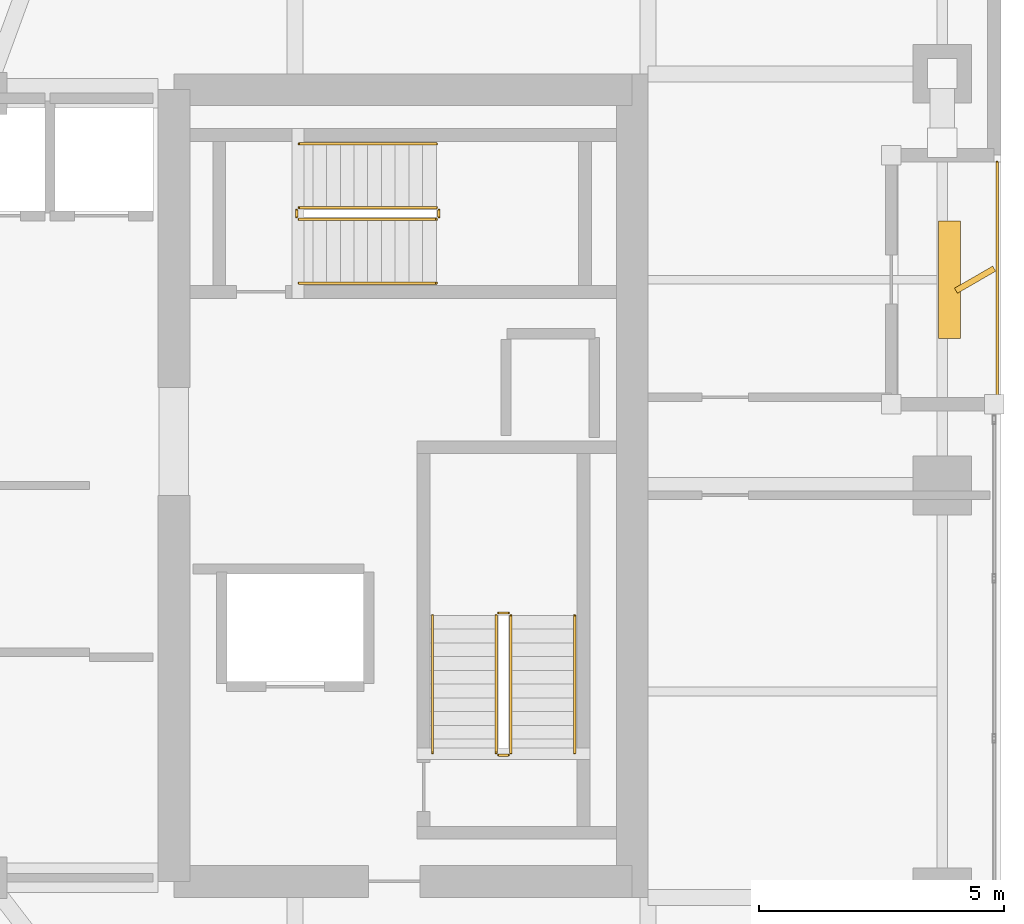
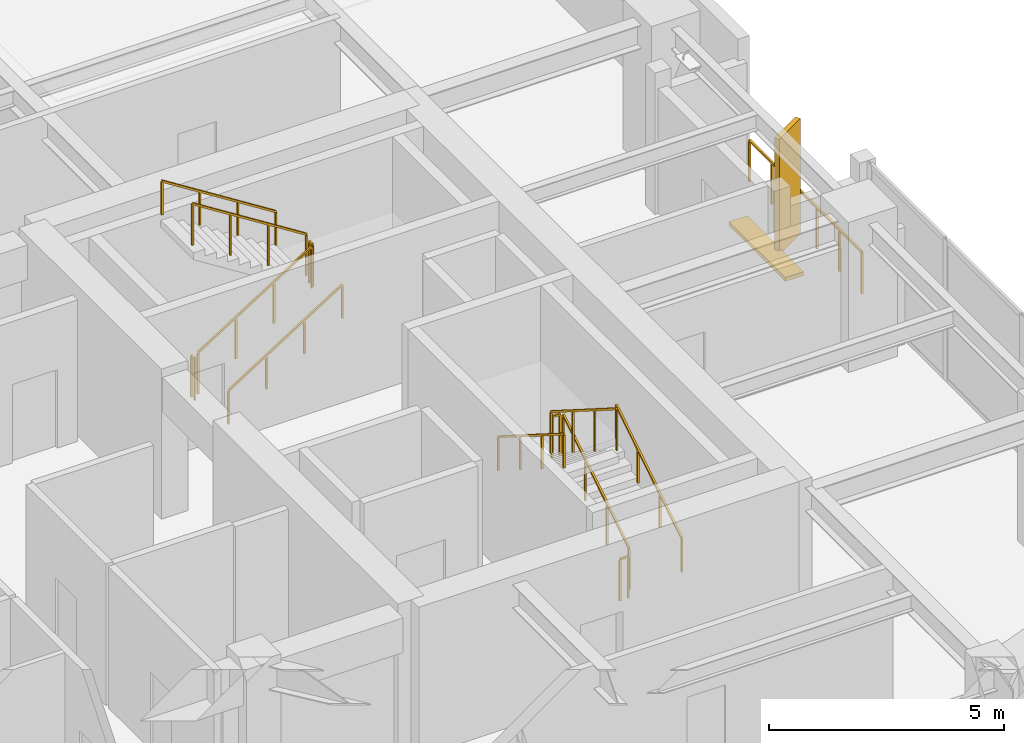
# One storey, part 29 of 30: 13 railings, 2 shading devices.
"""IFC4 building model written with IfcOpenShell, lengths in metres."""

from ifc_helpers import new_model, si_unit, direction, frame, origin, origin_2d, place, context, subcontext, project, spatial, rectangle, extrude, material, type_object, element, save


model = new_model("IFC4")

# Units and contexts
model_context = context("Model", 3, precision=1e-05, world=origin(), true_north=direction((0.0, 1.0)))
body_context = subcontext(model_context, "Body", "Model", "MODEL_VIEW")
ifc_project = project(units=[si_unit("LENGTHUNIT", "METRE"), si_unit("AREAUNIT", "SQUARE_METRE"), si_unit("VOLUMEUNIT", "CUBIC_METRE"), si_unit("PLANEANGLEUNIT", "RADIAN"), si_unit("MASSUNIT", "GRAM", prefix="KILO")], contexts=[model_context])

# Site, building, storey
site_placement = place(None, origin())
site = spatial("IfcSite", under=ifc_project, at=site_placement, CompositionType="ELEMENT")
building_placement = place(site_placement, origin())
building = spatial("IfcBuilding", under=site, at=building_placement, Name="Kiyonajd Concourse Tower", CompositionType="ELEMENT")
storey_placement = place(building_placement, frame((0.0, 0.0, 194.10009765625)))
storey = spatial("IfcBuildingStorey", under=building, at=storey_placement, Name="L49", CompositionType="ELEMENT", Elevation=194.10009765625)

# Railings
ifc_material_1 = material(Name="Thermally Broken Anodised Aluminium", Category="aluminium")
railing_type_1 = type_object("IfcRailingType", Name="RL-GRD-LOG", PredefinedType="GUARDRAIL", material=ifc_material_1)
railing_1_placement = place(storey_placement, frame((70.719970703125, 37.800048828125, 0.0)))
element("IfcRailing", 1, at=railing_1_placement, inside=storey, type_object=railing_type_1, Name="L49 Engawa Loggia Perimeter Guard LOG-E", PredefinedType="GUARDRAIL", context=body_context, shape_type="SweptSolid", body=[
    extrude(rectangle(XDim=0.048095703125, YDim=0.048095703125, at=origin_2d()), frame((0.0, 0.0, 1.076171875), z_axis=(0.0, 1.0, 0.0), x_axis=(-1.0, 0.0, 0.0)), (0.0, 0.0, 1.0), 4.800048828125),
    extrude(rectangle(XDim=0.0419921875, YDim=0.0419921875, at=origin_2d()), origin(), (0.0, 0.0, 1.0), 1.052001953125),
    extrude(rectangle(XDim=0.0419921875, YDim=0.0419921875, at=origin_2d()), frame((0.0, 0.9599609375, 0.0)), (0.0, 0.0, 1.0), 1.052001953125),
    extrude(rectangle(XDim=0.0419921875, YDim=0.0419921875, at=origin_2d()), frame((0.0, 1.919921875, 0.0)), (0.0, 0.0, 1.0), 1.052001953125),
    extrude(rectangle(XDim=0.0419921875, YDim=0.0419921875, at=origin_2d()), frame((0.0, 2.880126953125, 0.0)), (0.0, 0.0, 1.0), 1.052001953125),
    extrude(rectangle(XDim=0.0419921875, YDim=0.0419921875, at=origin_2d()), frame((0.0, 3.840087890625, 0.0)), (0.0, 0.0, 1.0), 1.052001953125),
    extrude(rectangle(XDim=0.0419921875, YDim=0.0419921875, at=origin_2d()), frame((0.0, 4.800048828125, 0.0)), (0.0, 0.0, 1.0), 1.052001953125),
])
ifc_material_2 = material(Name="Steel ASTM A500 Grade C", Category="steel")
railing_type_2 = type_object("IfcRailingType", Name="RL-GRD-STR", PredefinedType="GUARDRAIL", material=ifc_material_2)
railing_2_placement = place(storey_placement, frame((60.800048828125, 30.550048828125, 0.17724609375)))
element("IfcRailing", 2, at=railing_2_placement, inside=storey, type_object=railing_type_2, Name="L49 ST2 stair guard 1", PredefinedType="GUARDRAIL", context=body_context, shape_type="SweptSolid", body=[
    extrude(rectangle(XDim=0.048095703125, YDim=0.048095703125, at=origin_2d()), frame((0.0, 0.0, 1.076171875), z_axis=(0.0, 0.844908973607, 0.534910110503), x_axis=(-1.0, 0.0, 0.0)), (0.0, 0.0, 1.0), 3.31396484375),
    extrude(rectangle(XDim=0.0419921875, YDim=0.0419921875, at=origin_2d()), origin(), (0.0, 0.0, 1.0), 1.052001953125),
    extrude(rectangle(XDim=0.0419921875, YDim=0.0419921875, at=origin_2d()), frame((0.0, 0.933349609375, 0.5908203125)), (0.0, 0.0, 1.0), 1.052001953125),
    extrude(rectangle(XDim=0.0419921875, YDim=0.0419921875, at=origin_2d()), frame((0.0, 1.86669921875, 1.181884765625)), (0.0, 0.0, 1.0), 1.052001953125),
    extrude(rectangle(XDim=0.0419921875, YDim=0.0419921875, at=origin_2d()), frame((0.0, 2.800048828125, 1.772705078125)), (0.0, 0.0, 1.0), 1.052001953125),
])
railing_3_placement = place(storey_placement, frame((60.75, 33.39990234375, 1.949951171875)))
element("IfcRailing", 3, at=railing_3_placement, inside=storey, type_object=railing_type_2, Name="L49 ST2 stair guard 2", PredefinedType="GUARDRAIL", context=body_context, shape_type="SweptSolid", body=[
    extrude(rectangle(XDim=0.048095703125, YDim=0.048095703125, at=origin_2d()), frame((0.0, 0.0, 1.076171875), z_axis=(-1.0, 0.0, 0.0), x_axis=(0.0, -1.0, 0.0)), (0.0, 0.0, 1.0), 0.199951171875),
    extrude(rectangle(XDim=0.0419921875, YDim=0.0419921875, at=origin_2d()), origin(), (0.0, 0.0, 1.0), 1.052001953125),
    extrude(rectangle(XDim=0.0419921875, YDim=0.0419921875, at=origin_2d()), frame((-0.199951171875, 0.0, 0.0)), (0.0, 0.0, 1.0), 1.052001953125),
])
railing_4_placement = place(storey_placement, frame((60.5, 33.35009765625, 2.127197265625)))
element("IfcRailing", 4, at=railing_4_placement, inside=storey, type_object=railing_type_2, Name="L49 ST2 stair guard 3", PredefinedType="GUARDRAIL", context=body_context, shape_type="SweptSolid", body=[
    extrude(rectangle(XDim=0.048095703125, YDim=0.048095703125, at=origin_2d()), frame((0.0, 0.0, 1.076171875), z_axis=(0.0, -0.844908973607, 0.534910110503), x_axis=(1.0, 0.0, 0.0)), (0.0, 0.0, 1.0), 3.31396484375),
    extrude(rectangle(XDim=0.0419921875, YDim=0.0419921875, at=origin_2d()), origin(), (0.0, 0.0, 1.0), 1.052001953125),
    extrude(rectangle(XDim=0.0419921875, YDim=0.0419921875, at=origin_2d()), frame((0.0, -0.933349609375, 0.5908203125)), (0.0, 0.0, 1.0), 1.052001953125),
    extrude(rectangle(XDim=0.0419921875, YDim=0.0419921875, at=origin_2d()), frame((0.0, -1.86669921875, 1.181884765625)), (0.0, 0.0, 1.0), 1.052001953125),
    extrude(rectangle(XDim=0.0419921875, YDim=0.0419921875, at=origin_2d()), frame((0.0, -2.800048828125, 1.772705078125)), (0.0, 0.0, 1.0), 1.052001953125),
])
railing_5_placement = place(storey_placement, frame((60.75, 30.5, 0.0)))
element("IfcRailing", 5, at=railing_5_placement, inside=storey, type_object=railing_type_2, Name="L49 ST2 stair guard 4", PredefinedType="GUARDRAIL", context=body_context, shape_type="SweptSolid", body=[
    extrude(rectangle(XDim=0.048095703125, YDim=0.048095703125, at=origin_2d()), frame((0.0, 0.0, 1.076171875), z_axis=(-1.0, 0.0, 0.0), x_axis=(0.0, -1.0, 0.0)), (0.0, 0.0, 1.0), 0.199951171875),
    extrude(rectangle(XDim=0.0419921875, YDim=0.0419921875, at=origin_2d()), origin(), (0.0, 0.0, 1.0), 1.052001953125),
    extrude(rectangle(XDim=0.0419921875, YDim=0.0419921875, at=origin_2d()), frame((-0.199951171875, 0.0, 0.0)), (0.0, 0.0, 1.0), 1.052001953125),
])
railing_6_placement = place(storey_placement, frame((56.47998046875, 41.429931640625, 0.17724609375)))
element("IfcRailing", 6, at=railing_6_placement, inside=storey, type_object=railing_type_2, Name="L49 ST3 stair guard 1", PredefinedType="GUARDRAIL", context=body_context, shape_type="SweptSolid", body=[
    extrude(rectangle(XDim=0.048095703125, YDim=0.048095703125, at=origin_2d()), frame((0.0, 0.0, 1.076171875), z_axis=(0.844908973607, 0.0, 0.534910110503), x_axis=(0.0, 1.0, 0.0)), (0.0, 0.0, 1.0), 3.31396484375),
    extrude(rectangle(XDim=0.0419921875, YDim=0.0419921875, at=origin_2d()), origin(), (0.0, 0.0, 1.0), 1.052001953125),
    extrude(rectangle(XDim=0.0419921875, YDim=0.0419921875, at=origin_2d()), frame((0.933349609375, 0.0, 0.5908203125)), (0.0, 0.0, 1.0), 1.052001953125),
    extrude(rectangle(XDim=0.0419921875, YDim=0.0419921875, at=origin_2d()), frame((1.86669921875, 0.0, 1.181884765625)), (0.0, 0.0, 1.0), 1.052001953125),
    extrude(rectangle(XDim=0.0419921875, YDim=0.0419921875, at=origin_2d()), frame((2.800048828125, 0.0, 1.772705078125)), (0.0, 0.0, 1.0), 1.052001953125),
])
railing_7_placement = place(storey_placement, frame((59.330078125, 41.47998046875, 1.949951171875)))
element("IfcRailing", 7, at=railing_7_placement, inside=storey, type_object=railing_type_2, Name="L49 ST3 stair guard 2", PredefinedType="GUARDRAIL", context=body_context, shape_type="SweptSolid", body=[
    extrude(rectangle(XDim=0.048095703125, YDim=0.048095703125, at=origin_2d()), frame((0.0, 0.0, 1.076171875), z_axis=(0.0, 1.0, 0.0), x_axis=(-1.0, 0.0, 0.0)), (0.0, 0.0, 1.0), 0.14013671875),
    extrude(rectangle(XDim=0.0419921875, YDim=0.0419921875, at=origin_2d()), origin(), (0.0, 0.0, 1.0), 1.052001953125),
    extrude(rectangle(XDim=0.0419921875, YDim=0.0419921875, at=origin_2d()), frame((0.0, 0.14013671875, 0.0)), (0.0, 0.0, 1.0), 1.052001953125),
])
railing_8_placement = place(storey_placement, frame((59.280029296875, 41.669921875, 2.127197265625)))
element("IfcRailing", 8, at=railing_8_placement, inside=storey, type_object=railing_type_2, Name="L49 ST3 stair guard 3", PredefinedType="GUARDRAIL", context=body_context, shape_type="SweptSolid", body=[
    extrude(rectangle(XDim=0.048095703125, YDim=0.048095703125, at=origin_2d()), frame((0.0, 0.0, 1.076171875), z_axis=(-0.844908973607, 0.0, 0.534910110503), x_axis=(0.0, -1.0, 0.0)), (0.0, 0.0, 1.0), 3.31396484375),
    extrude(rectangle(XDim=0.0419921875, YDim=0.0419921875, at=origin_2d()), origin(), (0.0, 0.0, 1.0), 1.052001953125),
    extrude(rectangle(XDim=0.0419921875, YDim=0.0419921875, at=origin_2d()), frame((-0.933349609375, 0.0, 0.5908203125)), (0.0, 0.0, 1.0), 1.052001953125),
    extrude(rectangle(XDim=0.0419921875, YDim=0.0419921875, at=origin_2d()), frame((-1.86669921875, 0.0, 1.181884765625)), (0.0, 0.0, 1.0), 1.052001953125),
    extrude(rectangle(XDim=0.0419921875, YDim=0.0419921875, at=origin_2d()), frame((-2.800048828125, 0.0, 1.772705078125)), (0.0, 0.0, 1.0), 1.052001953125),
])
railing_9_placement = place(storey_placement, frame((56.429931640625, 41.47998046875, 0.0)))
element("IfcRailing", 9, at=railing_9_placement, inside=storey, type_object=railing_type_2, Name="L49 ST3 stair guard 4", PredefinedType="GUARDRAIL", context=body_context, shape_type="SweptSolid", body=[
    extrude(rectangle(XDim=0.048095703125, YDim=0.048095703125, at=origin_2d()), frame((0.0, 0.0, 1.076171875), z_axis=(0.0, 1.0, 0.0), x_axis=(-1.0, 0.0, 0.0)), (0.0, 0.0, 1.0), 0.14013671875),
    extrude(rectangle(XDim=0.0419921875, YDim=0.0419921875, at=origin_2d()), origin(), (0.0, 0.0, 1.0), 1.052001953125),
    extrude(rectangle(XDim=0.0419921875, YDim=0.0419921875, at=origin_2d()), frame((0.0, 0.14013671875, 0.0)), (0.0, 0.0, 1.0), 1.052001953125),
])
ifc_material_3 = material(Name="Brushed Stainless Steel Cab Assembly", Category="steel")
railing_type_3 = type_object("IfcRailingType", Name="RL-HND-900", PredefinedType="HANDRAIL", material=ifc_material_3)
railing_10_placement = place(storey_placement, frame((62.10009765625, 30.550048828125, 0.17724609375)))
element("IfcRailing", 10, at=railing_10_placement, inside=storey, type_object=railing_type_3, Name="L49 ST2 stair handrail 1", PredefinedType="HANDRAIL", context=body_context, shape_type="SweptSolid", body=[
    extrude(rectangle(XDim=0.048095703125, YDim=0.048095703125, at=origin_2d()), frame((0.0, 0.0, 0.8759765625), z_axis=(0.0, 0.844908973607, 0.534910110503), x_axis=(-1.0, 0.0, 0.0)), (0.0, 0.0, 1.0), 3.31396484375),
    extrude(rectangle(XDim=0.0419921875, YDim=0.0419921875, at=origin_2d()), origin(), (0.0, 0.0, 1.0), 0.851806640625),
    extrude(rectangle(XDim=0.0419921875, YDim=0.0419921875, at=origin_2d()), frame((0.0, 0.933349609375, 0.5908203125)), (0.0, 0.0, 1.0), 0.851806640625),
    extrude(rectangle(XDim=0.0419921875, YDim=0.0419921875, at=origin_2d()), frame((0.0, 1.86669921875, 1.181884765625)), (0.0, 0.0, 1.0), 0.851806640625),
    extrude(rectangle(XDim=0.0419921875, YDim=0.0419921875, at=origin_2d()), frame((0.0, 2.800048828125, 1.772705078125)), (0.0, 0.0, 1.0), 0.851806640625),
])
railing_11_placement = place(storey_placement, frame((59.199951171875, 33.35009765625, 2.127197265625)))
element("IfcRailing", 11, at=railing_11_placement, inside=storey, type_object=railing_type_3, Name="L49 ST2 stair handrail 2", PredefinedType="HANDRAIL", context=body_context, shape_type="SweptSolid", body=[
    extrude(rectangle(XDim=0.048095703125, YDim=0.048095703125, at=origin_2d()), frame((0.0, 0.0, 0.8759765625), z_axis=(0.0, -0.844908973607, 0.534910110503), x_axis=(1.0, 0.0, 0.0)), (0.0, 0.0, 1.0), 3.31396484375),
    extrude(rectangle(XDim=0.0419921875, YDim=0.0419921875, at=origin_2d()), origin(), (0.0, 0.0, 1.0), 0.851806640625),
    extrude(rectangle(XDim=0.0419921875, YDim=0.0419921875, at=origin_2d()), frame((0.0, -0.933349609375, 0.5908203125)), (0.0, 0.0, 1.0), 0.851806640625),
    extrude(rectangle(XDim=0.0419921875, YDim=0.0419921875, at=origin_2d()), frame((0.0, -1.86669921875, 1.181884765625)), (0.0, 0.0, 1.0), 0.851806640625),
    extrude(rectangle(XDim=0.0419921875, YDim=0.0419921875, at=origin_2d()), frame((0.0, -2.800048828125, 1.772705078125)), (0.0, 0.0, 1.0), 0.851806640625),
])
railing_12_placement = place(storey_placement, frame((56.47998046875, 40.1298828125, 0.17724609375)))
element("IfcRailing", 12, at=railing_12_placement, inside=storey, type_object=railing_type_3, Name="L49 ST3 stair handrail 1", PredefinedType="HANDRAIL", context=body_context, shape_type="SweptSolid", body=[
    extrude(rectangle(XDim=0.048095703125, YDim=0.048095703125, at=origin_2d()), frame((0.0, 0.0, 0.8759765625), z_axis=(0.844908973607, 0.0, 0.534910110503), x_axis=(0.0, 1.0, 0.0)), (0.0, 0.0, 1.0), 3.31396484375),
    extrude(rectangle(XDim=0.0419921875, YDim=0.0419921875, at=origin_2d()), origin(), (0.0, 0.0, 1.0), 0.851806640625),
    extrude(rectangle(XDim=0.0419921875, YDim=0.0419921875, at=origin_2d()), frame((0.933349609375, 0.0, 0.5908203125)), (0.0, 0.0, 1.0), 0.851806640625),
    extrude(rectangle(XDim=0.0419921875, YDim=0.0419921875, at=origin_2d()), frame((1.86669921875, 0.0, 1.181884765625)), (0.0, 0.0, 1.0), 0.851806640625),
    extrude(rectangle(XDim=0.0419921875, YDim=0.0419921875, at=origin_2d()), frame((2.800048828125, 0.0, 1.772705078125)), (0.0, 0.0, 1.0), 0.851806640625),
])
railing_13_placement = place(storey_placement, frame((59.280029296875, 42.969970703125, 2.127197265625)))
element("IfcRailing", 13, at=railing_13_placement, inside=storey, type_object=railing_type_3, Name="L49 ST3 stair handrail 2", PredefinedType="HANDRAIL", context=body_context, shape_type="SweptSolid", body=[
    extrude(rectangle(XDim=0.048095703125, YDim=0.048095703125, at=origin_2d()), frame((0.0, 0.0, 0.8759765625), z_axis=(-0.844908973607, 0.0, 0.534910110503), x_axis=(0.0, -1.0, 0.0)), (0.0, 0.0, 1.0), 3.31396484375),
    extrude(rectangle(XDim=0.0419921875, YDim=0.0419921875, at=origin_2d()), origin(), (0.0, 0.0, 1.0), 0.851806640625),
    extrude(rectangle(XDim=0.0419921875, YDim=0.0419921875, at=origin_2d()), frame((-0.933349609375, 0.0, 0.5908203125)), (0.0, 0.0, 1.0), 0.851806640625),
    extrude(rectangle(XDim=0.0419921875, YDim=0.0419921875, at=origin_2d()), frame((-1.86669921875, 0.0, 1.181884765625)), (0.0, 0.0, 1.0), 0.851806640625),
    extrude(rectangle(XDim=0.0419921875, YDim=0.0419921875, at=origin_2d()), frame((-2.800048828125, 0.0, 1.772705078125)), (0.0, 0.0, 1.0), 0.851806640625),
])

# Shading devices
ifc_material_4 = material(Name="Precast concrete C50/60", Category="concrete")
shading_device_type_1 = type_object("IfcShadingDeviceType", Name="SH-FIN-900", PredefinedType="USERDEFINED", material=ifc_material_4)
shading_device_1_placement = place(storey_placement, frame((70.27001953125, 40.199951171875, 0.0), z_axis=(0.0, 0.0, 1.0), x_axis=(0.866025403784, 0.5, 0.0)))
element("IfcShadingDevice", 14, at=shading_device_1_placement, inside=storey, type_object=shading_device_type_1, Name="L49 Angled Koshi Solar Fin LOG-E", ObjectType="FIN", PredefinedType="USERDEFINED", context=body_context, shape_type="SweptSolid", body=[
    extrude(rectangle(XDim=0.89990234375, YDim=0.1201171875, at=origin_2d()), origin(), (0.0, 0.0, 1.0), 3.0),
])
shading_device_type_2 = type_object("IfcShadingDeviceType", Name="SH-LVR-600", PredefinedType="JALOUSIE", material=ifc_material_1)
shading_device_2_placement = place(storey_placement, frame((69.75, 40.199951171875, -0.000244140625), z_axis=(0.0, 0.0, 1.0), x_axis=(0.0, 1.0, 0.0)))
element("IfcShadingDevice", 15, at=shading_device_2_placement, inside=storey, type_object=shading_device_type_2, Name="L49 Loggia Threshold Louver LOG-E", PredefinedType="JALOUSIE", context=body_context, shape_type="SweptSolid", body=[
    extrude(rectangle(XDim=2.39990234375, YDim=0.449951171875, at=origin_2d()), origin(), (0.0, 0.0, 1.0), 0.10009765625),
])

save(model, "model.ifc")
